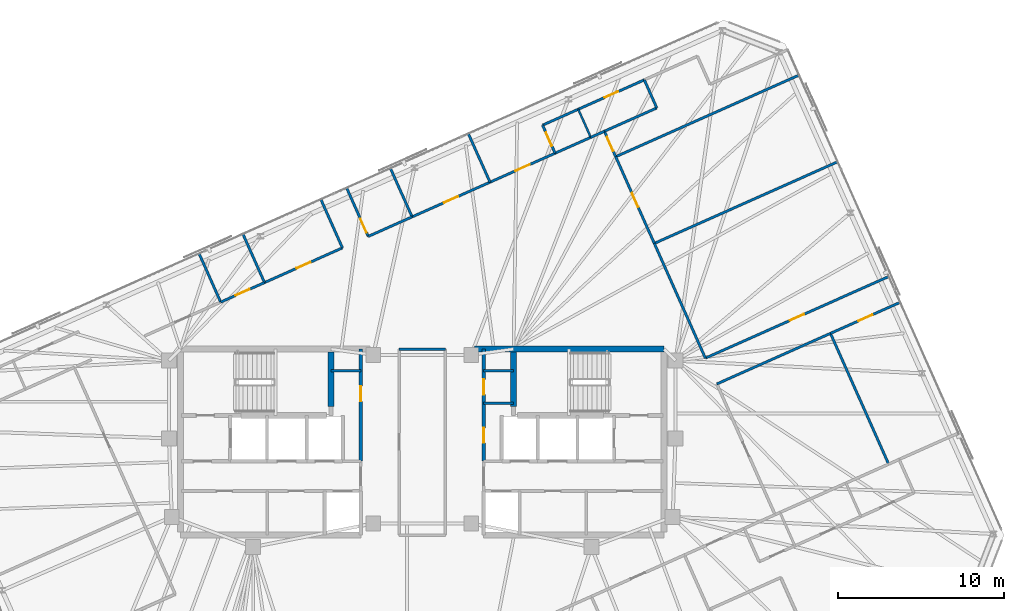
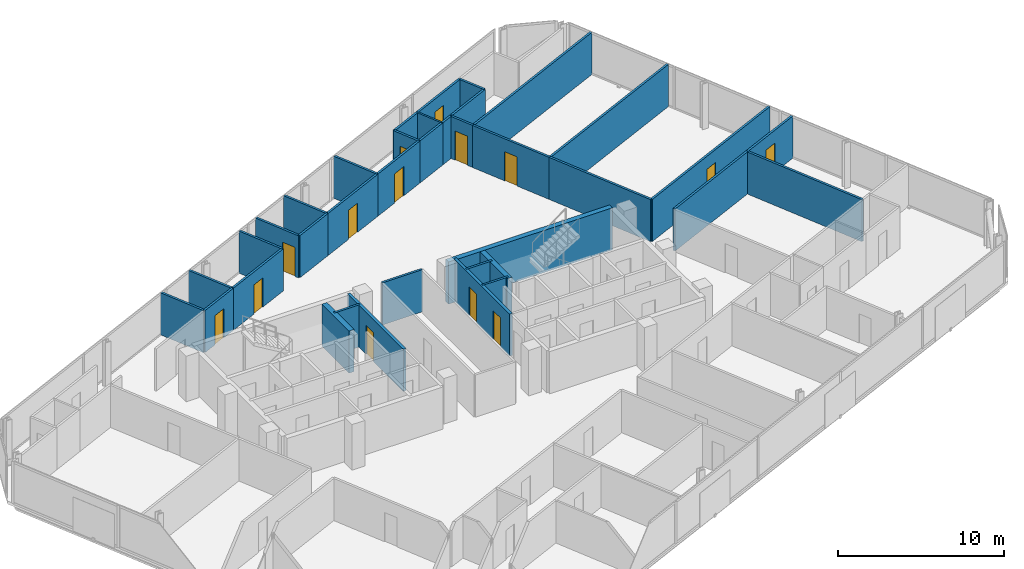
# One storey, part 16 of 18: 37 walls, 14 doors, 14 openings.
"""IFC4 building model written with IfcOpenShell, lengths in metres."""

from ifc_helpers import new_model, si_unit, direction, frame, frame_2d, origin, place, context, subcontext, project, spatial, rectangle, extrude, material, layer, layer_set, type_object, element, fill, save


model = new_model("IFC4")

# Units and contexts
model_context = context("Model", 3, precision=1e-05, world=origin(), true_north=direction((0.0, 1.0)))
body_context = subcontext(model_context, "Body", "Model", "MODEL_VIEW")
ifc_project = project(units=[si_unit("LENGTHUNIT", "METRE"), si_unit("AREAUNIT", "SQUARE_METRE"), si_unit("VOLUMEUNIT", "CUBIC_METRE"), si_unit("PLANEANGLEUNIT", "RADIAN"), si_unit("MASSUNIT", "GRAM", prefix="KILO")], contexts=[model_context])

# Site, building, storey
site_placement = place(None, origin())
site = spatial("IfcSite", under=ifc_project, at=site_placement, CompositionType="ELEMENT")
building_placement = place(site_placement, origin())
building = spatial("IfcBuilding", under=site, at=building_placement, Name="Menara Jurai Vektor", CompositionType="ELEMENT")
storey_placement = place(building_placement, frame((0.0, 0.0, 272.25)))
storey = spatial("IfcBuildingStorey", under=building, at=storey_placement, Name="L73", CompositionType="ELEMENT", Elevation=272.25)

# Walls
ifc_material_1 = material(Name="Gypsum Fireboard Partition", Category="gypsum")
ifc_layer_1 = layer(ifc_material_1, 0.14990234375)
ifc_layer_set_1 = layer_set([ifc_layer_1], Name="Gypsum Fireboard Partition")
wall_type_1 = type_object("IfcWallType", Name="INT-WALL-CORR-150", PredefinedType="PARTITIONING", material=ifc_layer_set_1)
for number, where, z_axis, x_axis, name in (
    (1, (-5.5, 4.300048828125, 0.0), (0.0, 0.0, 1.0), (1.0, 0.0, 0.0), "Interior Wall IW-150 L73"),
    (2, (3.699951171875, 4.300048828125, 0.0), (0.0, 0.0, 1.0), (1.0, 0.0, 0.0), "Interior Wall IW-150 L73"),
    (3, (3.699951171875, 2.35009765625, 0.0), (0.0, 0.0, 1.0), (1.0, 0.0, 0.0), "Interior Wall IW-150 L73"),
):
    element("IfcWall", number, at=place(storey_placement, frame(where, z_axis=z_axis, x_axis=x_axis)), inside=storey, type_object=wall_type_1, Name=name, PredefinedType="PARTITIONING", context=body_context, shape_type="SweptSolid", body=[
        extrude(rectangle(XDim=1.800048828125, YDim=0.14990234375, at=frame_2d((0.89990234375, 0.0))), origin(), (0.0, 0.0, 1.0), 3.10009765625),
    ])
wall_1_placement = place(storey_placement, frame((-1.3896484375, 5.600341796875, 0.0), z_axis=(0.0, 0.0, 1.0), x_axis=(0.99999998457, -0.000175669738, 0.0)))
element("IfcWall", 4, at=wall_1_placement, inside=storey, type_object=wall_type_1, Name="Interior Wall IW-150 L73", PredefinedType="PARTITIONING", context=body_context, shape_type="SweptSolid", body=[
    extrude(rectangle(XDim=2.779541015625, YDim=0.14990234375, at=frame_2d((1.3896484375, 0.0))), origin(), (0.0, 0.0, 1.0), 3.10009765625),
])

# Wall, opening, door
wall_2_placement = place(storey_placement, frame((4.07958984375, 15.645263671875, 0.0), z_axis=(0.0, 0.0, 1.0), x_axis=(0.913557968328, 0.406708542452, 0.0)))
wall_2 = element("IfcWall", 5, at=wall_2_placement, inside=storey, type_object=wall_type_1, Name="Interior Wall IW-150 L73", PredefinedType="PARTITIONING", context=body_context, shape_type="SweptSolid", body=[
    extrude(rectangle(XDim=4.290771484375, YDim=0.14990234375, at=frame_2d((2.1455078125, 0.0))), origin(), (0.0, 0.0, 1.0), 3.10009765625),
])
opening_1_placement = place(wall_2_placement, frame((1.67041015625, 0.0, 0.0)))
opening_1 = element("IfcOpeningElement", 6, at=opening_1_placement, cuts=wall_2, Name="Opening D73-12", PredefinedType="OPENING", context=body_context, shape_type="SweptSolid", body=[
    extrude(rectangle(XDim=0.949951171875, YDim=2.14990234375, at=frame_2d((0.47509765625, 1.074951171875))), frame((0.0, 0.0849609375, 0.0), z_axis=(0.0, -1.0, 0.0), x_axis=(1.0, 0.0, 0.0)), (0.0, 0.0, 1.0), 0.169921875),
])
ifc_material_2 = material(Name="Solid Core Timber Fire Door", Category="wood")
door_type_1 = type_object("IfcDoorType", Name="DR-ENTRY-950", OperationType="NOTDEFINED", PredefinedType="DOOR", material=ifc_material_2)
door_1_placement = place(opening_1_placement, origin())
door_1 = element("IfcDoor", 7, at=door_1_placement, inside=storey, type_object=door_type_1, Name="Interior Door D73-12", OperationType="SINGLE_SWING_LEFT", OverallHeight=2.14990234375, OverallWidth=0.949951171875, PredefinedType="DOOR", context=body_context, shape_type="SweptSolid", body=[
    extrude(rectangle(XDim=0.949951171875, YDim=2.14990234375, at=frame_2d((0.47509765625, 1.074951171875))), frame((0.0, 0.02490234375, 0.0), z_axis=(0.0, -1.0, 0.0), x_axis=(1.0, 0.0, 0.0)), (0.0, 0.0, 1.0), 0.050048828125),
])
fill(opening_1, door_1)

# Walls
wall_3_placement = place(storey_placement, frame((7.99951171875, 17.390380859375, 0.0), z_axis=(0.0, 0.0, 1.0), x_axis=(0.913520021435, 0.406793768926, 0.0)))
element("IfcWall", 8, at=wall_3_placement, inside=storey, type_object=wall_type_1, Name="Interior Wall IW-150 L73", PredefinedType="PARTITIONING", context=body_context, shape_type="SweptSolid", body=[
    extrude(rectangle(XDim=2.35009765625, YDim=0.14990234375, at=frame_2d((1.175048828125, 0.0))), origin(), (0.0, 0.0, 1.0), 3.10009765625),
])
wall_4_placement = place(storey_placement, frame((10.146484375, 18.346435546875, 0.0), z_axis=(0.0, 0.0, 1.0), x_axis=(0.9135644188, 0.406694052946, 0.0)))
element("IfcWall", 9, at=wall_4_placement, inside=storey, type_object=wall_type_1, Name="Interior Wall IW-150 L73", PredefinedType="PARTITIONING", context=body_context, shape_type="SweptSolid", body=[
    extrude(rectangle(XDim=0.89697265625, YDim=0.14990234375, at=frame_2d((0.448486328125, 0.0))), origin(), (0.0, 0.0, 1.0), 3.10009765625),
])

# Wall, opening, door
wall_5_placement = place(storey_placement, frame((-12.134033203125, 8.426513671875, 0.0), z_axis=(0.0, 0.0, 1.0), x_axis=(0.913543011099, 0.406742138059, 0.0)))
wall_5 = element("IfcWall", 10, at=wall_5_placement, inside=storey, type_object=wall_type_1, Name="Interior Wall IW-150 L73", PredefinedType="PARTITIONING", context=body_context, shape_type="SweptSolid", body=[
    extrude(rectangle(XDim=2.888916015625, YDim=0.14990234375, at=frame_2d((1.4443359375, 0.0))), origin(), (0.0, 0.0, 1.0), 3.10009765625),
])
opening_2_placement = place(wall_5_placement, frame((0.984619140625, 0.0, 0.0)))
opening_2 = element("IfcOpeningElement", 11, at=opening_2_placement, cuts=wall_5, Name="Opening D73-34", PredefinedType="OPENING", context=body_context, shape_type="SweptSolid", body=[
    extrude(rectangle(XDim=0.919921875, YDim=2.14990234375, at=frame_2d((0.4599609375, 1.074951171875))), frame((0.0, 0.0849609375, 0.0), z_axis=(0.0, -1.0, 0.0), x_axis=(1.0, 0.0, 0.0)), (0.0, 0.0, 1.0), 0.169921875),
])
door_2_placement = place(opening_2_placement, origin())
door_2 = element("IfcDoor", 12, at=door_2_placement, inside=storey, type_object=door_type_1, Name="Interior Door D73-34", OperationType="SINGLE_SWING_LEFT", OverallHeight=2.14990234375, OverallWidth=0.919921875, PredefinedType="DOOR", context=body_context, shape_type="SweptSolid", body=[
    extrude(rectangle(XDim=0.919921875, YDim=2.14990234375, at=frame_2d((0.4599609375, 1.074951171875))), frame((0.0, 0.02490234375, 0.0), z_axis=(0.0, -1.0, 0.0), x_axis=(1.0, 0.0, 0.0)), (0.0, 0.0, 1.0), 0.050048828125),
])
fill(opening_2, door_2)

wall_6_placement = place(storey_placement, frame((-9.494873046875, 9.6015625, 0.0), z_axis=(0.0, 0.0, 1.0), x_axis=(0.913546679905, 0.406733897819, 0.0)))
wall_6 = element("IfcWall", 13, at=wall_6_placement, inside=storey, type_object=wall_type_1, Name="Interior Wall IW-150 L73", PredefinedType="PARTITIONING", context=body_context, shape_type="SweptSolid", body=[
    extrude(rectangle(XDim=5.135009765625, YDim=0.14990234375, at=frame_2d((2.5673828125, 0.0))), origin(), (0.0, 0.0, 1.0), 3.10009765625),
])
opening_3_placement = place(wall_6_placement, frame((2.107421875, 0.0, 0.0)))
opening_3 = element("IfcOpeningElement", 14, at=opening_3_placement, cuts=wall_6, Name="Opening D73-35", PredefinedType="OPENING", context=body_context, shape_type="SweptSolid", body=[
    extrude(rectangle(XDim=0.919921875, YDim=2.14990234375, at=frame_2d((0.4599609375, 1.074951171875))), frame((0.0, 0.0849609375, 0.0), z_axis=(0.0, -1.0, 0.0), x_axis=(1.0, 0.0, 0.0)), (0.0, 0.0, 1.0), 0.169921875),
])
door_3_placement = place(opening_3_placement, origin())
door_3 = element("IfcDoor", 15, at=door_3_placement, inside=storey, type_object=door_type_1, Name="Interior Door D73-35", OperationType="SINGLE_SWING_RIGHT", OverallHeight=2.14990234375, OverallWidth=0.919921875, PredefinedType="DOOR", context=body_context, shape_type="SweptSolid", body=[
    extrude(rectangle(XDim=0.919921875, YDim=2.14990234375, at=frame_2d((0.4599609375, 1.074951171875))), frame((0.0, 0.02490234375, 0.0), z_axis=(0.0, -1.0, 0.0), x_axis=(1.0, 0.0, 0.0)), (0.0, 0.0, 1.0), 0.050048828125),
])
fill(opening_3, door_3)

# Wall
wall_7_placement = place(storey_placement, frame((-4.8037109375, 11.690185546875, 0.0), z_axis=(0.0, 0.0, 1.0), x_axis=(-0.406761717745, 0.913534293268, 0.0)))
element("IfcWall", 16, at=wall_7_placement, inside=storey, type_object=wall_type_1, Name="Interior Wall IW-150 L73", PredefinedType="PARTITIONING", context=body_context, shape_type="SweptSolid", body=[
    extrude(rectangle(XDim=3.197998046875, YDim=0.14990234375, at=frame_2d((1.59912109375, 0.0))), origin(), (0.0, 0.0, 1.0), 3.10009765625),
])

# Wall, opening, door
wall_8_placement = place(storey_placement, frame((-3.250732421875, 12.381591796875, 0.0), z_axis=(0.0, 0.0, 1.0), x_axis=(-0.406761717745, 0.913534293268, 0.0)))
wall_8 = element("IfcWall", 17, at=wall_8_placement, inside=storey, type_object=wall_type_1, Name="Interior Wall IW-150 L73", PredefinedType="PARTITIONING", context=body_context, shape_type="SweptSolid", body=[
    extrude(rectangle(XDim=3.197998046875, YDim=0.14990234375, at=frame_2d((1.59912109375, 0.0))), origin(), (0.0, 0.0, 1.0), 3.10009765625),
])
opening_4_placement = place(wall_8_placement, frame((0.24365234375, 0.0, 0.0)))
opening_4 = element("IfcOpeningElement", 18, at=opening_4_placement, cuts=wall_8, Name="Opening D73-36", PredefinedType="OPENING", context=body_context, shape_type="SweptSolid", body=[
    extrude(rectangle(XDim=0.919921875, YDim=2.14990234375, at=frame_2d((0.4599609375, 1.074951171875))), frame((0.0, 0.0849609375, 0.0), z_axis=(0.0, -1.0, 0.0), x_axis=(1.0, 0.0, 0.0)), (0.0, 0.0, 1.0), 0.169921875),
])
door_4_placement = place(opening_4_placement, origin())
door_4 = element("IfcDoor", 19, at=door_4_placement, inside=storey, type_object=door_type_1, Name="Interior Door D73-36", OperationType="SINGLE_SWING_LEFT", OverallHeight=2.14990234375, OverallWidth=0.919921875, PredefinedType="DOOR", context=body_context, shape_type="SweptSolid", body=[
    extrude(rectangle(XDim=0.919921875, YDim=2.14990234375, at=frame_2d((0.4599609375, 1.074951171875))), frame((0.0, 0.02490234375, 0.0), z_axis=(0.0, -1.0, 0.0), x_axis=(1.0, 0.0, 0.0)), (0.0, 0.0, 1.0), 0.050048828125),
])
fill(opening_4, door_4)

# Wall
wall_9_placement = place(storey_placement, frame((-3.250732421875, 12.381591796875, 0.0), z_axis=(0.0, 0.0, 1.0), x_axis=(0.913543011099, 0.406742138059, 0.0)))
element("IfcWall", 20, at=wall_9_placement, inside=storey, type_object=wall_type_1, Name="Interior Wall IW-150 L73", PredefinedType="PARTITIONING", context=body_context, shape_type="SweptSolid", body=[
    extrude(rectangle(XDim=2.888916015625, YDim=0.14990234375, at=frame_2d((1.4443359375, 0.0))), origin(), (0.0, 0.0, 1.0), 3.10009765625),
])

# Wall, opening, door
wall_10_placement = place(storey_placement, frame((-0.611572265625, 13.556640625, 0.0), z_axis=(0.0, 0.0, 1.0), x_axis=(0.913546679905, 0.406733897819, 0.0)))
wall_10 = element("IfcWall", 21, at=wall_10_placement, inside=storey, type_object=wall_type_1, Name="Interior Wall IW-150 L73", PredefinedType="PARTITIONING", context=body_context, shape_type="SweptSolid", body=[
    extrude(rectangle(XDim=5.135009765625, YDim=0.14990234375, at=frame_2d((2.5673828125, 0.0))), origin(), (0.0, 0.0, 1.0), 3.10009765625),
])
opening_5_placement = place(wall_10_placement, frame((2.107421875, 0.0, 0.0)))
opening_5 = element("IfcOpeningElement", 22, at=opening_5_placement, cuts=wall_10, Name="Opening D73-37", PredefinedType="OPENING", context=body_context, shape_type="SweptSolid", body=[
    extrude(rectangle(XDim=0.919921875, YDim=2.14990234375, at=frame_2d((0.4599609375, 1.074951171875))), frame((0.0, 0.0849609375, 0.0), z_axis=(0.0, -1.0, 0.0), x_axis=(1.0, 0.0, 0.0)), (0.0, 0.0, 1.0), 0.169921875),
])
door_5_placement = place(opening_5_placement, origin())
door_5 = element("IfcDoor", 23, at=door_5_placement, inside=storey, type_object=door_type_1, Name="Interior Door D73-37", OperationType="SINGLE_SWING_RIGHT", OverallHeight=2.14990234375, OverallWidth=0.919921875, PredefinedType="DOOR", context=body_context, shape_type="SweptSolid", body=[
    extrude(rectangle(XDim=0.919921875, YDim=2.14990234375, at=frame_2d((0.4599609375, 1.074951171875))), frame((0.0, 0.02490234375, 0.0), z_axis=(0.0, -1.0, 0.0), x_axis=(1.0, 0.0, 0.0)), (0.0, 0.0, 1.0), 0.050048828125),
])
fill(opening_5, door_5)

# Wall
wall_11_placement = place(storey_placement, frame((17.73876953125, 3.498779296875, 0.0), z_axis=(0.0, 0.0, 1.0), x_axis=(0.913545033673, 0.406737595326, 0.0)))
element("IfcWall", 24, at=wall_11_placement, inside=storey, type_object=wall_type_1, Name="Interior Wall IW-150 L73", PredefinedType="PARTITIONING", context=body_context, shape_type="SweptSolid", body=[
    extrude(rectangle(XDim=7.485107421875, YDim=0.14990234375, at=frame_2d((3.74267578125, 0.0))), origin(), (0.0, 0.0, 1.0), 3.10009765625),
])

# Wall, opening, door
wall_12_placement = place(storey_placement, frame((24.57666015625, 6.543212890625, 0.0), z_axis=(0.0, 0.0, 1.0), x_axis=(0.913537946403, 0.406753513177, 0.0)))
wall_12 = element("IfcWall", 25, at=wall_12_placement, inside=storey, type_object=wall_type_1, Name="Interior Wall IW-150 L73", PredefinedType="PARTITIONING", context=body_context, shape_type="SweptSolid", body=[
    extrude(rectangle(XDim=4.60302734375, YDim=0.14990234375, at=frame_2d((2.301513671875, 0.0))), origin(), (0.0, 0.0, 1.0), 3.10009765625),
])
opening_6_placement = place(wall_12_placement, frame((1.841552734375, 0.0, 0.0)))
opening_6 = element("IfcOpeningElement", 26, at=opening_6_placement, cuts=wall_12, Name="Opening D73-39", PredefinedType="OPENING", context=body_context, shape_type="SweptSolid", body=[
    extrude(rectangle(XDim=0.919921875, YDim=2.14990234375, at=frame_2d((0.4599609375, 1.074951171875))), frame((0.0, 0.0849609375, 0.0), z_axis=(0.0, -1.0, 0.0), x_axis=(1.0, 0.0, 0.0)), (0.0, 0.0, 1.0), 0.169921875),
])
door_6_placement = place(opening_6_placement, origin())
door_6 = element("IfcDoor", 27, at=door_6_placement, inside=storey, type_object=door_type_1, Name="Interior Door D73-39", OperationType="SINGLE_SWING_RIGHT", OverallHeight=2.14990234375, OverallWidth=0.919921875, PredefinedType="DOOR", context=body_context, shape_type="SweptSolid", body=[
    extrude(rectangle(XDim=0.919921875, YDim=2.14990234375, at=frame_2d((0.4599609375, 1.074951171875))), frame((0.0, 0.02490234375, 0.0), z_axis=(0.0, -1.0, 0.0), x_axis=(1.0, 0.0, 0.0)), (0.0, 0.0, 1.0), 0.050048828125),
])
fill(opening_6, door_6)

# Wall
wall_13_placement = place(storey_placement, frame((17.04736328125, 5.052001953125, 0.0), z_axis=(0.0, 0.0, 1.0), x_axis=(-0.406752543172, 0.913538378298, 0.0)))
element("IfcWall", 28, at=wall_13_placement, inside=storey, type_object=wall_type_1, Name="Interior Wall IW-150 L73", PredefinedType="PARTITIONING", context=body_context, shape_type="SweptSolid", body=[
    extrude(rectangle(XDim=7.56103515625, YDim=0.14990234375, at=frame_2d((3.780517578125, 0.0))), origin(), (0.0, 0.0, 1.0), 3.10009765625),
])

# Wall, opening, door
wall_14_placement = place(storey_placement, frame((17.04736328125, 5.052001953125, 0.0), z_axis=(0.0, 0.0, 1.0), x_axis=(0.913549839503, 0.406726801113, 0.0)))
wall_14 = element("IfcWall", 29, at=wall_14_placement, inside=storey, type_object=wall_type_1, Name="Interior Wall IW-150 L73", PredefinedType="PARTITIONING", context=body_context, shape_type="SweptSolid", body=[
    extrude(rectangle(XDim=12.087890625, YDim=0.14990234375, at=frame_2d((6.0439453125, 0.0))), origin(), (0.0, 0.0, 1.0), 3.10009765625),
])
opening_7_placement = place(wall_14_placement, frame((5.583984375, 0.0, 0.0)))
opening_7 = element("IfcOpeningElement", 30, at=opening_7_placement, cuts=wall_14, Name="Opening D73-40", PredefinedType="OPENING", context=body_context, shape_type="SweptSolid", body=[
    extrude(rectangle(XDim=0.919921875, YDim=2.14990234375, at=frame_2d((0.4599609375, 1.074951171875))), frame((0.0, 0.0849609375, 0.0), z_axis=(0.0, -1.0, 0.0), x_axis=(1.0, 0.0, 0.0)), (0.0, 0.0, 1.0), 0.169921875),
])
door_7_placement = place(opening_7_placement, origin())
door_7 = element("IfcDoor", 31, at=door_7_placement, inside=storey, type_object=door_type_1, Name="Interior Door D73-40", OperationType="SINGLE_SWING_LEFT", OverallHeight=2.14990234375, OverallWidth=0.919921875, PredefinedType="DOOR", context=body_context, shape_type="SweptSolid", body=[
    extrude(rectangle(XDim=0.919921875, YDim=2.14990234375, at=frame_2d((0.4599609375, 1.074951171875))), frame((0.0, 0.02490234375, 0.0), z_axis=(0.0, -1.0, 0.0), x_axis=(1.0, 0.0, 0.0)), (0.0, 0.0, 1.0), 0.050048828125),
])
fill(opening_7, door_7)

wall_15_placement = place(storey_placement, frame((13.971923828125, 11.959228515625, 0.0), z_axis=(0.0, 0.0, 1.0), x_axis=(-0.406713331746, 0.913555836159, 0.0)))
wall_15 = element("IfcWall", 32, at=wall_15_placement, inside=storey, type_object=wall_type_1, Name="Interior Wall IW-150 L73", PredefinedType="PARTITIONING", context=body_context, shape_type="SweptSolid", body=[
    extrude(rectangle(XDim=5.712890625, YDim=0.14990234375, at=frame_2d((2.8564453125, 0.0))), origin(), (0.0, 0.0, 1.0), 3.10009765625),
])
opening_8_placement = place(wall_15_placement, frame((2.396484375, 0.0, 0.0)))
opening_8 = element("IfcOpeningElement", 33, at=opening_8_placement, cuts=wall_15, Name="Opening D73-41", PredefinedType="OPENING", context=body_context, shape_type="SweptSolid", body=[
    extrude(rectangle(XDim=0.919921875, YDim=2.14990234375, at=frame_2d((0.4599609375, 1.074951171875))), frame((0.0, 0.0849609375, 0.0), z_axis=(0.0, -1.0, 0.0), x_axis=(1.0, 0.0, 0.0)), (0.0, 0.0, 1.0), 0.169921875),
])
door_8_placement = place(opening_8_placement, origin())
door_8 = element("IfcDoor", 34, at=door_8_placement, inside=storey, type_object=door_type_1, Name="Interior Door D73-41", OperationType="SINGLE_SWING_RIGHT", OverallHeight=2.14990234375, OverallWidth=0.919921875, PredefinedType="DOOR", context=body_context, shape_type="SweptSolid", body=[
    extrude(rectangle(XDim=0.919921875, YDim=2.14990234375, at=frame_2d((0.4599609375, 1.074951171875))), frame((0.0, 0.02490234375, 0.0), z_axis=(0.0, -1.0, 0.0), x_axis=(1.0, 0.0, 0.0)), (0.0, 0.0, 1.0), 0.050048828125),
])
fill(opening_8, door_8)

wall_16_placement = place(storey_placement, frame((11.6484375, 17.17822265625, 0.0), z_axis=(0.0, 0.0, 1.0), x_axis=(-0.406786313485, 0.913523341334, 0.0)))
wall_16 = element("IfcWall", 35, at=wall_16_placement, inside=storey, type_object=wall_type_1, Name="Interior Wall IW-150 L73", PredefinedType="PARTITIONING", context=body_context, shape_type="SweptSolid", body=[
    extrude(rectangle(XDim=1.677978515625, YDim=0.14990234375, at=frame_2d((0.8388671875, 0.0))), origin(), (0.0, 0.0, 1.0), 3.10009765625),
])
opening_9_placement = place(wall_16_placement, frame((0.37890625, 0.0, 0.0)))
opening_9 = element("IfcOpeningElement", 36, at=opening_9_placement, cuts=wall_16, Name="Opening D73-42", PredefinedType="OPENING", context=body_context, shape_type="SweptSolid", body=[
    extrude(rectangle(XDim=0.919921875, YDim=2.14990234375, at=frame_2d((0.4599609375, 1.074951171875))), frame((0.0, 0.0849609375, 0.0), z_axis=(0.0, -1.0, 0.0), x_axis=(1.0, 0.0, 0.0)), (0.0, 0.0, 1.0), 0.169921875),
])
door_9_placement = place(opening_9_placement, origin())
door_9 = element("IfcDoor", 37, at=door_9_placement, inside=storey, type_object=door_type_1, Name="Interior Door D73-42", OperationType="SINGLE_SWING_LEFT", OverallHeight=2.14990234375, OverallWidth=0.919921875, PredefinedType="DOOR", context=body_context, shape_type="SweptSolid", body=[
    extrude(rectangle(XDim=0.919921875, YDim=2.14990234375, at=frame_2d((0.4599609375, 1.074951171875))), frame((0.0, 0.02490234375, 0.0), z_axis=(0.0, -1.0, 0.0), x_axis=(1.0, 0.0, 0.0)), (0.0, 0.0, 1.0), 0.050048828125),
])
fill(opening_9, door_9)

# Wall
wall_17_placement = place(storey_placement, frame((-12.134033203125, 8.426513671875, 0.0), z_axis=(0.0, 0.0, 1.0), x_axis=(-0.406761717745, 0.913534293268, 0.0)))
element("IfcWall", 38, at=wall_17_placement, inside=storey, type_object=wall_type_1, Name="Interior Wall IW-150 L73", PredefinedType="PARTITIONING", context=body_context, shape_type="SweptSolid", body=[
    extrude(rectangle(XDim=3.197998046875, YDim=0.14990234375, at=frame_2d((1.59912109375, 0.0))), origin(), (0.0, 0.0, 1.0), 3.10009765625),
])

# Wall, opening, door
wall_18_placement = place(storey_placement, frame((7.99951171875, 17.390380859375, 0.0), z_axis=(0.0, 0.0, 1.0), x_axis=(-0.406701600856, 0.913561058639, 0.0)))
wall_18 = element("IfcWall", 39, at=wall_18_placement, inside=storey, type_object=wall_type_1, Name="Interior Wall IW-150 L73", PredefinedType="PARTITIONING", context=body_context, shape_type="SweptSolid", body=[
    extrude(rectangle(XDim=1.85009765625, YDim=0.14990234375, at=frame_2d((0.925048828125, 0.0))), origin(), (0.0, 0.0, 1.0), 3.10009765625),
])
opening_10_placement = place(wall_18_placement, frame((0.485107421875, 0.0, 0.0)))
opening_10 = element("IfcOpeningElement", 40, at=opening_10_placement, cuts=wall_18, Name="Opening D73-13", PredefinedType="OPENING", context=body_context, shape_type="SweptSolid", body=[
    extrude(rectangle(XDim=0.8798828125, YDim=2.14990234375, at=frame_2d((0.43994140625, 1.074951171875))), frame((0.0, 0.0849609375, 0.0), z_axis=(0.0, -1.0, 0.0), x_axis=(1.0, 0.0, 0.0)), (0.0, 0.0, 1.0), 0.169921875),
])
ifc_material_3 = material(Name="Moisture-Resistant Timber Door", Category="wood")
door_type_2 = type_object("IfcDoorType", Name="DR-BATH-880", OperationType="NOTDEFINED", PredefinedType="DOOR", material=ifc_material_3)
door_10_placement = place(opening_10_placement, origin())
door_10 = element("IfcDoor", 41, at=door_10_placement, inside=storey, type_object=door_type_2, Name="Interior Door D73-13", OperationType="SINGLE_SWING_RIGHT", OverallHeight=2.14990234375, OverallWidth=0.8798828125, PredefinedType="DOOR", context=body_context, shape_type="SweptSolid", body=[
    extrude(rectangle(XDim=0.8798828125, YDim=2.14990234375, at=frame_2d((0.43994140625, 1.074951171875))), frame((0.0, 0.02490234375, 0.0), z_axis=(0.0, -1.0, 0.0), x_axis=(1.0, 0.0, 0.0)), (0.0, 0.0, 1.0), 0.050048828125),
])
fill(opening_10, door_10)

# Wall
wall_19_placement = place(storey_placement, frame((7.2470703125, 19.08056640625, 0.0), z_axis=(0.0, 0.0, 1.0), x_axis=(0.913541436194, 0.406745675276, 0.0)))
element("IfcWall", 42, at=wall_19_placement, inside=storey, type_object=wall_type_1, Name="Interior Wall IW-150 L73", PredefinedType="PARTITIONING", context=body_context, shape_type="SweptSolid", body=[
    extrude(rectangle(XDim=2.349853515625, YDim=0.14990234375, at=frame_2d((1.1748046875, 0.0))), origin(), (0.0, 0.0, 1.0), 3.10009765625),
])

# Wall, opening, door
wall_20_placement = place(storey_placement, frame((9.393798828125, 20.036376953125, 0.0), z_axis=(0.0, 0.0, 1.0), x_axis=(0.913554477336, 0.406716383908, 0.0)))
wall_20 = element("IfcWall", 43, at=wall_20_placement, inside=storey, type_object=wall_type_1, Name="Interior Wall IW-150 L73", PredefinedType="PARTITIONING", context=body_context, shape_type="SweptSolid", body=[
    extrude(rectangle(XDim=4.35009765625, YDim=0.14990234375, at=frame_2d((2.175048828125, 0.0))), origin(), (0.0, 0.0, 1.0), 3.10009765625),
])
opening_11_placement = place(wall_20_placement, frame((1.72509765625, 0.0, 0.0)))
opening_11 = element("IfcOpeningElement", 44, at=opening_11_placement, cuts=wall_20, Name="Opening D73-14", PredefinedType="OPENING", context=body_context, shape_type="SweptSolid", body=[
    extrude(rectangle(XDim=0.89990234375, YDim=2.14990234375, at=frame_2d((0.449951171875, 1.074951171875))), frame((0.0, 0.0849609375, 0.0), z_axis=(0.0, -1.0, 0.0), x_axis=(1.0, 0.0, 0.0)), (0.0, 0.0, 1.0), 0.169921875),
])
ifc_material_4 = material(Name="Acoustic Timber Interior Door", Category="wood")
door_type_3 = type_object("IfcDoorType", Name="DR-ROOM-900", OperationType="NOTDEFINED", PredefinedType="DOOR", material=ifc_material_4)
door_11_placement = place(opening_11_placement, origin())
door_11 = element("IfcDoor", 45, at=door_11_placement, inside=storey, type_object=door_type_3, Name="Interior Door D73-14", OperationType="SINGLE_SWING_LEFT", OverallHeight=2.14990234375, OverallWidth=0.89990234375, PredefinedType="DOOR", context=body_context, shape_type="SweptSolid", body=[
    extrude(rectangle(XDim=0.89990234375, YDim=2.14990234375, at=frame_2d((0.449951171875, 1.074951171875))), frame((0.0, 0.02490234375, 0.0), z_axis=(0.0, -1.0, 0.0), x_axis=(1.0, 0.0, 0.0)), (0.0, 0.0, 1.0), 0.050048828125),
])
fill(opening_11, door_11)

# Walls
wall_21_placement = place(storey_placement, frame((4.07958984375, 15.645263671875, 0.0), z_axis=(0.0, 0.0, 1.0), x_axis=(-0.406761717745, 0.913534293268, 0.0)))
element("IfcWall", 46, at=wall_21_placement, inside=storey, type_object=wall_type_1, Name="Interior Wall IW-150 L73", PredefinedType="PARTITIONING", context=body_context, shape_type="SweptSolid", body=[
    extrude(rectangle(XDim=3.197998046875, YDim=0.14990234375, at=frame_2d((1.59912109375, 0.0))), origin(), (0.0, 0.0, 1.0), 3.10009765625),
])
wall_22_placement = place(storey_placement, frame((10.9658203125, 18.711181640625, 0.0), z_axis=(0.0, 0.0, 1.0), x_axis=(0.913540199258, 0.406748453396, 0.0)))
element("IfcWall", 47, at=wall_22_placement, inside=storey, type_object=wall_type_1, Name="Interior Wall IW-150 L73", PredefinedType="PARTITIONING", context=body_context, shape_type="SweptSolid", body=[
    extrude(rectangle(XDim=3.453125, YDim=0.14990234375, at=frame_2d((1.7265625, 0.0))), origin(), (0.0, 0.0, 1.0), 3.10009765625),
])
wall_23_placement = place(storey_placement, frame((14.120361328125, 20.11572265625, 0.0), z_axis=(0.0, 0.0, 1.0), x_axis=(-0.406750635596, 0.913539227643, 0.0)))
element("IfcWall", 48, at=wall_23_placement, inside=storey, type_object=wall_type_1, Name="Interior Wall IW-150 L73", PredefinedType="PARTITIONING", context=body_context, shape_type="SweptSolid", body=[
    extrude(rectangle(XDim=1.849853515625, YDim=0.14990234375, at=frame_2d((0.9248046875, 0.0))), origin(), (0.0, 0.0, 1.0), 3.10009765625),
])
for number, where, z_axis, x_axis, name in (
    (49, (-9.494873046875, 9.6015625, 0.0), (0.0, 0.0, 1.0), (-0.406761717745, 0.913534293268, 0.0), "Interior Wall IW-150 L73"),
    (50, (-0.611572265625, 13.556640625, 0.0), (0.0, 0.0, 1.0), (-0.406669637818, 0.913575287361, 0.0), "Interior Wall IW-150 L73"),
):
    element("IfcWall", number, at=place(storey_placement, frame(where, z_axis=z_axis, x_axis=x_axis)), inside=storey, type_object=wall_type_1, Name=name, PredefinedType="PARTITIONING", context=body_context, shape_type="SweptSolid", body=[
        extrude(rectangle(XDim=3.197998046875, YDim=0.14990234375, at=frame_2d((1.59912109375, 0.0))), origin(), (0.0, 0.0, 1.0), 3.10009765625),
    ])
wall_24_placement = place(storey_placement, frame((28.080810546875, -1.326904296875, 0.0), z_axis=(0.0, 0.0, 1.0), x_axis=(-0.406751025101, 0.913539054217, 0.0)))
element("IfcWall", 51, at=wall_24_placement, inside=storey, type_object=wall_type_1, Name="Interior Wall IW-150 L73", PredefinedType="PARTITIONING", context=body_context, shape_type="SweptSolid", body=[
    extrude(rectangle(XDim=8.614990234375, YDim=0.14990234375, at=frame_2d((4.3076171875, 0.0))), origin(), (0.0, 0.0, 1.0), 3.10009765625),
])
wall_25_placement = place(storey_placement, frame((13.971923828125, 11.959228515625, 0.0), z_axis=(0.0, 0.0, 1.0), x_axis=(0.913549839503, 0.406726801113, 0.0)))
element("IfcWall", 52, at=wall_25_placement, inside=storey, type_object=wall_type_1, Name="Interior Wall IW-150 L73", PredefinedType="PARTITIONING", context=body_context, shape_type="SweptSolid", body=[
    extrude(rectangle(XDim=12.087890625, YDim=0.14990234375, at=frame_2d((6.0439453125, 0.0))), origin(), (0.0, 0.0, 1.0), 3.10009765625),
])
wall_26_placement = place(storey_placement, frame((11.6484375, 17.17822265625, 0.0), z_axis=(0.0, 0.0, 1.0), x_axis=(0.913542334914, 0.406743656766, 0.0)))
element("IfcWall", 53, at=wall_26_placement, inside=storey, type_object=wall_type_1, Name="Interior Wall IW-150 L73", PredefinedType="PARTITIONING", context=body_context, shape_type="SweptSolid", body=[
    extrude(rectangle(XDim=12.088134765625, YDim=0.14990234375, at=frame_2d((6.0439453125, 0.0))), origin(), (0.0, 0.0, 1.0), 3.10009765625),
])
ifc_material_5 = material(Name="Gypsum Acoustic Stud Partition", Category="gypsum")
ifc_layer_2 = layer(ifc_material_5, 0.1201171875)
ifc_layer_set_2 = layer_set([ifc_layer_2], Name="Gypsum Acoustic Stud Partition")
wall_type_2 = type_object("IfcWallType", Name="INT-WALL-PART-120", PredefinedType="PARTITIONING", material=ifc_layer_set_2)
wall_27_placement = place(storey_placement, frame((10.146484375, 18.346435546875, 0.0), z_axis=(0.0, 0.0, 1.0), x_axis=(-0.406860767979, 0.913490183571, 0.0)))
element("IfcWall", 54, at=wall_27_placement, inside=storey, type_object=wall_type_2, Name="Interior Wall IW-120 L73", PredefinedType="PARTITIONING", context=body_context, shape_type="SweptSolid", body=[
    extrude(rectangle(XDim=1.85009765625, YDim=0.1201171875, at=frame_2d((0.925048828125, 0.0))), origin(), (0.0, 0.0, 1.0), 3.10009765625),
])

# Wall, opening, door
ifc_material_6 = material(Name="Concrete C40/50", Category="concrete")
ifc_layer_3 = layer(ifc_material_6, 0.199951171875)
ifc_layer_set_3 = layer_set([ifc_layer_3], Name="Concrete C40/50")
wall_type_3 = type_object("IfcWallType", Name="INT-WALL-SHAFT-200", PredefinedType="STANDARD", material=ifc_layer_set_3)
wall_28_placement = place(storey_placement, frame((-3.699951171875, -1.14990234375, 0.0), z_axis=(0.0, 0.0, 1.0), x_axis=(0.0, 1.0, 0.0)))
wall_28 = element("IfcWall", 55, at=wall_28_placement, inside=storey, type_object=wall_type_3, Name="Interior Wall IW-200 L73", PredefinedType="STANDARD", context=body_context, shape_type="SweptSolid", body=[
    extrude(rectangle(XDim=6.75, YDim=0.199951171875, at=frame_2d((3.375, 0.0))), origin(), (0.0, 0.0, 1.0), 3.10009765625),
])
opening_12_placement = place(wall_28_placement, frame((3.60009765625, 0.0, 0.0)))
opening_12 = element("IfcOpeningElement", 56, at=opening_12_placement, cuts=wall_28, Name="Opening D73-03", PredefinedType="OPENING", context=body_context, shape_type="SweptSolid", body=[
    extrude(rectangle(XDim=0.919921875, YDim=2.14990234375, at=frame_2d((0.4599609375, 1.074951171875))), frame((0.0, 0.10986328125, 0.0), z_axis=(0.0, -1.0, 0.0), x_axis=(1.0, 0.0, 0.0)), (0.0, 0.0, 1.0), 0.219970703125),
])
door_12_placement = place(opening_12_placement, origin())
door_12 = element("IfcDoor", 57, at=door_12_placement, inside=storey, type_object=door_type_1, Name="Interior Door D73-03", OperationType="SINGLE_SWING_LEFT", OverallHeight=2.14990234375, OverallWidth=0.919921875, PredefinedType="DOOR", context=body_context, shape_type="SweptSolid", body=[
    extrude(rectangle(XDim=0.919921875, YDim=2.14990234375, at=frame_2d((0.4599609375, 1.074951171875))), frame((0.0, 0.02490234375, 0.0), z_axis=(0.0, -1.0, 0.0), x_axis=(1.0, 0.0, 0.0)), (0.0, 0.0, 1.0), 0.050048828125),
])
fill(opening_12, door_12)

# Wall, openings, doors
wall_29_placement = place(storey_placement, frame((3.699951171875, -1.14990234375, 0.0), z_axis=(0.0, 0.0, 1.0), x_axis=(0.0, 1.0, 0.0)))
wall_29 = element("IfcWall", 58, at=wall_29_placement, inside=storey, type_object=wall_type_3, Name="Interior Wall IW-200 L73", PredefinedType="STANDARD", context=body_context, shape_type="SweptSolid", body=[
    extrude(rectangle(XDim=6.75, YDim=0.199951171875, at=frame_2d((3.375, 0.0))), origin(), (0.0, 0.0, 1.0), 3.10009765625),
])
opening_13_placement = place(wall_29_placement, frame((1.10009765625, 0.0, 0.0)))
opening_13 = element("IfcOpeningElement", 59, at=opening_13_placement, cuts=wall_29, Name="Opening D73-06", PredefinedType="OPENING", context=body_context, shape_type="SweptSolid", body=[
    extrude(rectangle(XDim=0.89990234375, YDim=2.14990234375, at=frame_2d((0.449951171875, 1.074951171875))), frame((0.0, 0.10986328125, 0.0), z_axis=(0.0, -1.0, 0.0), x_axis=(1.0, 0.0, 0.0)), (0.0, 0.0, 1.0), 0.219970703125),
])
opening_14_placement = place(wall_29_placement, frame((4.0, 0.0, 0.0)))
opening_14 = element("IfcOpeningElement", 60, at=opening_14_placement, cuts=wall_29, Name="Opening D73-07", PredefinedType="OPENING", context=body_context, shape_type="SweptSolid", body=[
    extrude(rectangle(XDim=0.919921875, YDim=2.14990234375, at=frame_2d((0.4599609375, 1.074951171875))), frame((0.0, 0.10986328125, 0.0), z_axis=(0.0, -1.0, 0.0), x_axis=(1.0, 0.0, 0.0)), (0.0, 0.0, 1.0), 0.219970703125),
])
door_13_placement = place(opening_13_placement, origin())
door_13 = element("IfcDoor", 61, at=door_13_placement, inside=storey, type_object=door_type_1, Name="Interior Door D73-06", OperationType="SINGLE_SWING_RIGHT", OverallHeight=2.14990234375, OverallWidth=0.89990234375, PredefinedType="DOOR", context=body_context, shape_type="SweptSolid", body=[
    extrude(rectangle(XDim=0.89990234375, YDim=2.14990234375, at=frame_2d((0.449951171875, 1.074951171875))), frame((0.0, 0.02490234375, 0.0), z_axis=(0.0, -1.0, 0.0), x_axis=(1.0, 0.0, 0.0)), (0.0, 0.0, 1.0), 0.050048828125),
])
fill(opening_13, door_13)
door_14_placement = place(opening_14_placement, origin())
door_14 = element("IfcDoor", 62, at=door_14_placement, inside=storey, type_object=door_type_1, Name="Interior Door D73-07", OperationType="SINGLE_SWING_RIGHT", OverallHeight=2.14990234375, OverallWidth=0.919921875, PredefinedType="DOOR", context=body_context, shape_type="SweptSolid", body=[
    extrude(rectangle(XDim=0.919921875, YDim=2.14990234375, at=frame_2d((0.4599609375, 1.074951171875))), frame((0.0, 0.02490234375, 0.0), z_axis=(0.0, -1.0, 0.0), x_axis=(1.0, 0.0, 0.0)), (0.0, 0.0, 1.0), 0.050048828125),
])
fill(opening_14, door_14)

# Walls
ifc_material_7 = material(Name="Concrete C50/60", Category="concrete")
ifc_layer_4 = layer(ifc_material_7, 0.35009765625)
ifc_layer_set_4 = layer_set([ifc_layer_4], Name="Concrete C50/60")
wall_type_4 = type_object("IfcWallType", Name="STR-WALL-CORE350", PredefinedType="SHEAR", material=ifc_layer_set_4)
wall_30_placement = place(storey_placement, frame((-5.5, 2.14990234375, 0.0), z_axis=(0.0, 0.0, 1.0), x_axis=(0.0, 1.0, 0.0)))
element("IfcWall", 63, at=wall_30_placement, inside=storey, type_object=wall_type_4, Name="Core Shear Wall CW-W-ST L73", PredefinedType="SHEAR", context=body_context, shape_type="SweptSolid", body=[
    extrude(rectangle(XDim=3.275146484375, YDim=0.35009765625, at=frame_2d((1.6376953125, 0.0))), origin(), (0.0, 0.0, 1.0), 3.10009765625),
])
wall_31_placement = place(storey_placement, frame((3.14990234375, 5.60009765625, 0.0), z_axis=(0.0, 0.0, 1.0), x_axis=(1.0, 0.0, 0.0)))
element("IfcWall", 64, at=wall_31_placement, inside=storey, type_object=wall_type_4, Name="Core Shear Wall CW-E-N L73", PredefinedType="SHEAR", context=body_context, shape_type="SweptSolid", body=[
    extrude(rectangle(XDim=11.41015625, YDim=0.35009765625, at=frame_2d((5.705078125, 0.0))), origin(), (0.0, 0.0, 1.0), 3.10009765625),
])
wall_32_placement = place(storey_placement, frame((5.5, 2.14990234375, 0.0), z_axis=(0.0, 0.0, 1.0), x_axis=(0.0, 1.0, 0.0)))
element("IfcWall", 65, at=wall_32_placement, inside=storey, type_object=wall_type_4, Name="Core Shear Wall CW-E-ST L73", PredefinedType="SHEAR", context=body_context, shape_type="SweptSolid", body=[
    extrude(rectangle(XDim=3.275146484375, YDim=0.35009765625, at=frame_2d((1.6376953125, 0.0))), origin(), (0.0, 0.0, 1.0), 3.10009765625),
])

save(model, "model.ifc")
